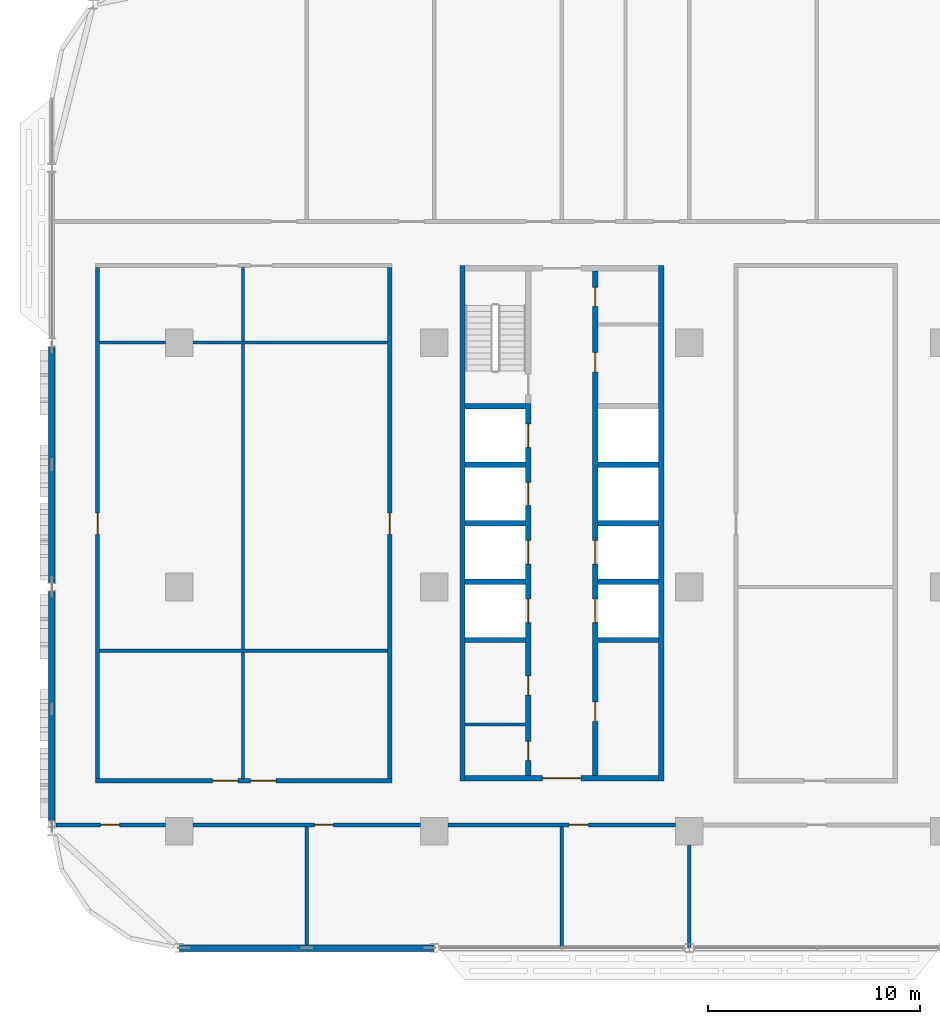
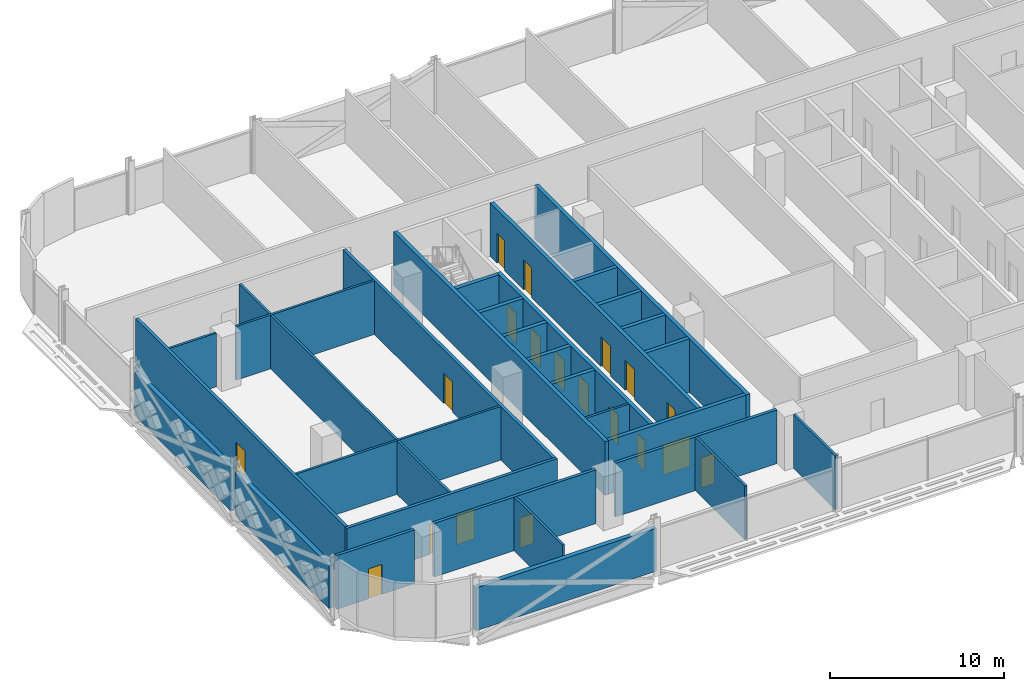
# One storey, part 13 of 28: 31 walls, 19 doors, 19 openings.
"""IFC4 building model written with IfcOpenShell, lengths in metres."""

from ifc_helpers import new_model, si_unit, direction, frame, frame_2d, origin, place, context, subcontext, project, spatial, rectangle, extrude, material, layer, layer_set, type_object, element, fill, save


model = new_model("IFC4")

# Units and contexts
model_context = context("Model", 3, precision=1e-05, world=origin(), true_north=direction((0.0, 1.0)))
body_context = subcontext(model_context, "Body", "Model", "MODEL_VIEW")
ifc_project = project(units=[si_unit("LENGTHUNIT", "METRE"), si_unit("AREAUNIT", "SQUARE_METRE"), si_unit("VOLUMEUNIT", "CUBIC_METRE"), si_unit("PLANEANGLEUNIT", "RADIAN"), si_unit("MASSUNIT", "GRAM", prefix="KILO")], contexts=[model_context])

# Site, building, storey
site_placement = place(None, origin())
site = spatial("IfcSite", under=ifc_project, at=site_placement, CompositionType="ELEMENT")
building_placement = place(site_placement, origin())
building = spatial("IfcBuilding", under=site, at=building_placement, Name="Mahtab Terrace Research Tower", CompositionType="ELEMENT")
storey_placement = place(building_placement, frame((0.0, 0.0, 130.199951171875)))
storey = spatial("IfcBuildingStorey", under=building, at=storey_placement, Name="L30", CompositionType="ELEMENT", Elevation=130.199951171875)

# Walls
ifc_material_1 = material(Name="Gypsum board partition")
ifc_layer_1 = layer(ifc_material_1, 0.14990234375)
ifc_layer_set_1 = layer_set([ifc_layer_1], Name="Core partition 150")
wall_type_1 = type_object("IfcWallType", Name="Core partition 150", PredefinedType="PARTITIONING", material=ifc_layer_set_1)
wall_1_placement = place(storey_placement, frame((-28.550048828125, -6.47509765625, 0.0), z_axis=(0.0, 0.0, 1.0), x_axis=(1.0, 0.0, 0.0)))
element("IfcWall", 1, at=wall_1_placement, inside=storey, type_object=wall_type_1, Name="Core wall A pWS-948", PredefinedType="PARTITIONING", context=body_context, shape_type="SweptSolid", body=[
    extrude(rectangle(XDim=2.85009765625, YDim=0.14990234375, at=frame_2d((1.425048828125, 0.0))), origin(), (0.0, 0.0, 1.0), 3.760009765625),
])
ifc_material_2 = material(Name="Concrete C70/85", Category="concrete")
ifc_layer_2 = layer(ifc_material_2, 0.25)
ifc_layer_set_2 = layer_set([ifc_layer_2], Name="Core wall 250")
wall_type_2 = type_object("IfcWallType", Name="Core wall 250", PredefinedType="SOLIDWALL", material=ifc_layer_set_2)
for number, where, z_axis, x_axis, name in (
    (2, (-28.675048828125, 15.125, 0.0), (0.0, 0.0, 1.0), (0.0, -1.0, 0.0), "Core wall A outerW"),
    (3, (-19.324951171875, -9.125, 0.0), (0.0, 0.0, 1.0), (0.0, 1.0, 0.0), "Core wall A outerE"),
):
    element("IfcWall", number, at=place(storey_placement, frame(where, z_axis=z_axis, x_axis=x_axis)), inside=storey, type_object=wall_type_2, Name=name, PredefinedType="SOLIDWALL", context=body_context, shape_type="SweptSolid", body=[
        extrude(rectangle(XDim=24.25, YDim=0.25, at=frame_2d((12.125, 0.0))), origin(), (0.0, 0.0, 1.0), 3.760009765625),
    ])

# Wall, opening, door
wall_2_placement = place(storey_placement, frame((-19.449951171875, -9.0, 0.0), z_axis=(0.0, 0.0, 1.0), x_axis=(-1.0, 0.0, 0.0)))
wall_2 = element("IfcWall", 4, at=wall_2_placement, inside=storey, type_object=wall_type_2, Name="Core wall A endS", PredefinedType="SOLIDWALL", context=body_context, shape_type="SweptSolid", body=[
    extrude(rectangle(XDim=9.10009765625, YDim=0.25, at=frame_2d((4.550048828125, 0.0))), origin(), (0.0, 0.0, 1.0), 3.760009765625),
])
opening_1_placement = place(wall_2_placement, frame((3.64990234375, 0.0, 0.0)))
opening_1 = element("IfcOpeningElement", 5, at=opening_1_placement, cuts=wall_2, Name="Opening A-S1", PredefinedType="OPENING", context=body_context, shape_type="SweptSolid", body=[
    extrude(rectangle(XDim=1.800048828125, YDim=2.10009765625, at=frame_2d((0.89990234375, 1.050048828125))), frame((0.0, 0.135009765625, 0.0), z_axis=(0.0, -1.0, 0.0), x_axis=(1.0, 0.0, 0.0)), (0.0, 0.0, 1.0), 0.27001953125),
])
ifc_material_3 = material(Name="Steel fire door", Category="steel")
door_type_1 = type_object("IfcDoorType", Name="Lobby double door 1800x2100 1 HR", OperationType="DOUBLE_DOOR_SINGLE_SWING", PredefinedType="DOOR", material=ifc_material_3)
door_1_placement = place(opening_1_placement, origin())
door_1 = element("IfcDoor", 6, at=door_1_placement, inside=storey, type_object=door_type_1, Name="Core entrance door A S", OperationType="DOUBLE_DOOR_SINGLE_SWING", OverallHeight=2.10009765625, OverallWidth=1.800048828125, PredefinedType="DOOR", context=body_context, shape_type="SweptSolid", body=[
    extrude(rectangle(XDim=1.800048828125, YDim=2.10009765625, at=frame_2d((0.89990234375, 1.050048828125))), frame((0.0, 0.02490234375, 0.0), z_axis=(0.0, -1.0, 0.0), x_axis=(1.0, 0.0, 0.0)), (0.0, 0.0, 1.0), 0.050048828125),
])
fill(opening_1, door_1)

# Wall, openings, doors
wall_3_placement = place(storey_placement, frame((-25.574951171875, -8.875, 0.0), z_axis=(0.0, 0.0, 1.0), x_axis=(0.0, 1.0, 0.0)))
wall_3 = element("IfcWall", 7, at=wall_3_placement, inside=storey, type_object=wall_type_2, Name="Core wall A innerWSL", PredefinedType="SOLIDWALL", context=body_context, shape_type="SweptSolid", body=[
    extrude(rectangle(XDim=17.5, YDim=0.25, at=frame_2d((8.75, 0.0))), origin(), (0.0, 0.0, 1.0), 3.760009765625),
])
opening_2_placement = place(wall_3_placement, frame((7.199951171875, 0.0, 0.0)))
opening_2 = element("IfcOpeningElement", 8, at=opening_2_placement, cuts=wall_3, Name="Opening LD01-L30", PredefinedType="OPENING", context=body_context, shape_type="SweptSolid", body=[
    extrude(rectangle(XDim=1.10009765625, YDim=2.10009765625, at=frame_2d((0.550048828125, 1.050048828125))), frame((0.0, 0.135009765625, 0.0), z_axis=(0.0, -1.0, 0.0), x_axis=(1.0, 0.0, 0.0)), (0.0, 0.0, 1.0), 0.27001953125),
])
opening_3_placement = place(wall_3_placement, frame((9.949951171875, 0.0, 0.0)))
opening_3 = element("IfcOpeningElement", 9, at=opening_3_placement, cuts=wall_3, Name="Opening LD02-L30", PredefinedType="OPENING", context=body_context, shape_type="SweptSolid", body=[
    extrude(rectangle(XDim=1.10009765625, YDim=2.10009765625, at=frame_2d((0.550048828125, 1.050048828125))), frame((0.0, 0.135009765625, 0.0), z_axis=(0.0, -1.0, 0.0), x_axis=(1.0, 0.0, 0.0)), (0.0, 0.0, 1.0), 0.27001953125),
])
opening_4_placement = place(wall_3_placement, frame((12.699951171875, 0.0, 0.0)))
opening_4 = element("IfcOpeningElement", 10, at=opening_4_placement, cuts=wall_3, Name="Opening LD03-L30", PredefinedType="OPENING", context=body_context, shape_type="SweptSolid", body=[
    extrude(rectangle(XDim=1.10009765625, YDim=2.10009765625, at=frame_2d((0.550048828125, 1.050048828125))), frame((0.0, 0.135009765625, 0.0), z_axis=(0.0, -1.0, 0.0), x_axis=(1.0, 0.0, 0.0)), (0.0, 0.0, 1.0), 0.27001953125),
])
opening_5_placement = place(wall_3_placement, frame((15.449951171875, 0.0, 0.0)))
opening_5 = element("IfcOpeningElement", 11, at=opening_5_placement, cuts=wall_3, Name="Opening LD04-L30", PredefinedType="OPENING", context=body_context, shape_type="SweptSolid", body=[
    extrude(rectangle(XDim=1.10009765625, YDim=2.10009765625, at=frame_2d((0.550048828125, 1.050048828125))), frame((0.0, 0.135009765625, 0.0), z_axis=(0.0, -1.0, 0.0), x_axis=(1.0, 0.0, 0.0)), (0.0, 0.0, 1.0), 0.27001953125),
])
opening_6_placement = place(wall_3_placement, frame((0.71240234375, 0.0, 0.0)))
opening_6 = element("IfcOpeningElement", 12, at=opening_6_placement, cuts=wall_3, Name="Opening A-R1", PredefinedType="OPENING", context=body_context, shape_type="SweptSolid", body=[
    extrude(rectangle(XDim=0.89990234375, YDim=2.10009765625, at=frame_2d((0.449951171875, 1.050048828125))), frame((0.0, 0.135009765625, 0.0), z_axis=(0.0, -1.0, 0.0), x_axis=(1.0, 0.0, 0.0)), (0.0, 0.0, 1.0), 0.27001953125),
])
opening_7_placement = place(wall_3_placement, frame((3.78759765625, 0.0, 0.0)))
opening_7 = element("IfcOpeningElement", 13, at=opening_7_placement, cuts=wall_3, Name="Opening A-R2", PredefinedType="OPENING", context=body_context, shape_type="SweptSolid", body=[
    extrude(rectangle(XDim=0.89990234375, YDim=2.10009765625, at=frame_2d((0.449951171875, 1.050048828125))), frame((0.0, 0.135009765625, 0.0), z_axis=(0.0, -1.0, 0.0), x_axis=(1.0, 0.0, 0.0)), (0.0, 0.0, 1.0), 0.27001953125),
])
ifc_material_4 = material(Name="Stainless steel AISI 304", Category="steel")
door_type_2 = type_object("IfcDoorType", Name="Landing door 1100x2100", OperationType="DOUBLE_DOOR_SLIDING", PredefinedType="DOOR", material=ifc_material_4)
door_2_placement = place(opening_2_placement, origin())
door_2 = element("IfcDoor", 14, at=door_2_placement, inside=storey, type_object=door_type_2, Name="Landing door LR1 L30", OperationType="DOUBLE_DOOR_SLIDING", OverallHeight=2.10009765625, OverallWidth=1.10009765625, PredefinedType="DOOR", context=body_context, shape_type="SweptSolid", body=[
    extrude(rectangle(XDim=1.10009765625, YDim=2.10009765625, at=frame_2d((0.550048828125, 1.050048828125))), frame((0.0, 0.02490234375, 0.0), z_axis=(0.0, -1.0, 0.0), x_axis=(1.0, 0.0, 0.0)), (0.0, 0.0, 1.0), 0.050048828125),
])
fill(opening_2, door_2)
door_3_placement = place(opening_3_placement, origin())
door_3 = element("IfcDoor", 15, at=door_3_placement, inside=storey, type_object=door_type_2, Name="Landing door LR2 L30", OperationType="DOUBLE_DOOR_SLIDING", OverallHeight=2.10009765625, OverallWidth=1.10009765625, PredefinedType="DOOR", context=body_context, shape_type="SweptSolid", body=[
    extrude(rectangle(XDim=1.10009765625, YDim=2.10009765625, at=frame_2d((0.550048828125, 1.050048828125))), frame((0.0, 0.02490234375, 0.0), z_axis=(0.0, -1.0, 0.0), x_axis=(1.0, 0.0, 0.0)), (0.0, 0.0, 1.0), 0.050048828125),
])
fill(opening_3, door_3)
door_4_placement = place(opening_4_placement, origin())
door_4 = element("IfcDoor", 16, at=door_4_placement, inside=storey, type_object=door_type_2, Name="Landing door LR3 L30", OperationType="DOUBLE_DOOR_SLIDING", OverallHeight=2.10009765625, OverallWidth=1.10009765625, PredefinedType="DOOR", context=body_context, shape_type="SweptSolid", body=[
    extrude(rectangle(XDim=1.10009765625, YDim=2.10009765625, at=frame_2d((0.550048828125, 1.050048828125))), frame((0.0, 0.02490234375, 0.0), z_axis=(0.0, -1.0, 0.0), x_axis=(1.0, 0.0, 0.0)), (0.0, 0.0, 1.0), 0.050048828125),
])
fill(opening_4, door_4)
door_5_placement = place(opening_5_placement, origin())
door_5 = element("IfcDoor", 17, at=door_5_placement, inside=storey, type_object=door_type_2, Name="Landing door LR4 L30", OperationType="DOUBLE_DOOR_SLIDING", OverallHeight=2.10009765625, OverallWidth=1.10009765625, PredefinedType="DOOR", context=body_context, shape_type="SweptSolid", body=[
    extrude(rectangle(XDim=1.10009765625, YDim=2.10009765625, at=frame_2d((0.550048828125, 1.050048828125))), frame((0.0, 0.02490234375, 0.0), z_axis=(0.0, -1.0, 0.0), x_axis=(1.0, 0.0, 0.0)), (0.0, 0.0, 1.0), 0.050048828125),
])
fill(opening_5, door_5)
door_type_3 = type_object("IfcDoorType", Name="Room door 900x2100 1 HR", OperationType="NOTDEFINED", PredefinedType="DOOR", material=ifc_material_3)
door_6_placement = place(opening_6_placement, origin())
door_6 = element("IfcDoor", 18, at=door_6_placement, inside=storey, type_object=door_type_3, Name="Accessible WC door", OperationType="SINGLE_SWING_LEFT", OverallHeight=2.10009765625, OverallWidth=0.89990234375, PredefinedType="DOOR", context=body_context, shape_type="SweptSolid", body=[
    extrude(rectangle(XDim=0.89990234375, YDim=2.10009765625, at=frame_2d((0.449951171875, 1.050048828125))), frame((0.0, 0.02490234375, 0.0), z_axis=(0.0, -1.0, 0.0), x_axis=(1.0, 0.0, 0.0)), (0.0, 0.0, 1.0), 0.050048828125),
])
fill(opening_6, door_6)
door_7_placement = place(opening_7_placement, origin())
door_7 = element("IfcDoor", 19, at=door_7_placement, inside=storey, type_object=door_type_3, Name="WC block door", OperationType="SINGLE_SWING_RIGHT", OverallHeight=2.10009765625, OverallWidth=0.89990234375, PredefinedType="DOOR", context=body_context, shape_type="SweptSolid", body=[
    extrude(rectangle(XDim=0.89990234375, YDim=2.10009765625, at=frame_2d((0.449951171875, 1.050048828125))), frame((0.0, 0.02490234375, 0.0), z_axis=(0.0, -1.0, 0.0), x_axis=(1.0, 0.0, 0.0)), (0.0, 0.0, 1.0), 0.050048828125),
])
fill(opening_7, door_7)

wall_4_placement = place(storey_placement, frame((-22.425048828125, 14.875, 0.0), z_axis=(0.0, 0.0, 1.0), x_axis=(0.0, -1.0, 0.0)))
wall_4 = element("IfcWall", 20, at=wall_4_placement, inside=storey, type_object=wall_type_2, Name="Core wall A innerESLN", PredefinedType="SOLIDWALL", context=body_context, shape_type="SweptSolid", body=[
    extrude(rectangle(XDim=23.75, YDim=0.25, at=frame_2d((11.875, 0.0))), origin(), (0.0, 0.0, 1.0), 3.760009765625),
])
opening_8_placement = place(wall_4_placement, frame((15.449951171875, 0.0, 0.0)))
opening_8 = element("IfcOpeningElement", 21, at=opening_8_placement, cuts=wall_4, Name="Opening LD05-L30", PredefinedType="OPENING", context=body_context, shape_type="SweptSolid", body=[
    extrude(rectangle(XDim=1.10009765625, YDim=2.10009765625, at=frame_2d((0.550048828125, 1.050048828125))), frame((0.0, 0.135009765625, 0.0), z_axis=(0.0, -1.0, 0.0), x_axis=(1.0, 0.0, 0.0)), (0.0, 0.0, 1.0), 0.27001953125),
])
opening_9_placement = place(wall_4_placement, frame((12.699951171875, 0.0, 0.0)))
opening_9 = element("IfcOpeningElement", 22, at=opening_9_placement, cuts=wall_4, Name="Opening LD06-L30", PredefinedType="OPENING", context=body_context, shape_type="SweptSolid", body=[
    extrude(rectangle(XDim=1.10009765625, YDim=2.10009765625, at=frame_2d((0.550048828125, 1.050048828125))), frame((0.0, 0.135009765625, 0.0), z_axis=(0.0, -1.0, 0.0), x_axis=(1.0, 0.0, 0.0)), (0.0, 0.0, 1.0), 0.27001953125),
])
opening_10_placement = place(wall_4_placement, frame((20.300048828125, 0.0, 0.0)))
opening_10 = element("IfcOpeningElement", 23, at=opening_10_placement, cuts=wall_4, Name="Opening A-R3", PredefinedType="OPENING", context=body_context, shape_type="SweptSolid", body=[
    extrude(rectangle(XDim=0.89990234375, YDim=2.10009765625, at=frame_2d((0.449951171875, 1.050048828125))), frame((0.0, 0.135009765625, 0.0), z_axis=(0.0, -1.0, 0.0), x_axis=(1.0, 0.0, 0.0)), (0.0, 0.0, 1.0), 0.27001953125),
])
opening_11_placement = place(wall_4_placement, frame((3.847412109375, 0.0, 0.0)))
opening_11 = element("IfcOpeningElement", 24, at=opening_11_placement, cuts=wall_4, Name="Opening A-R4", PredefinedType="OPENING", context=body_context, shape_type="SweptSolid", body=[
    extrude(rectangle(XDim=0.89990234375, YDim=2.10009765625, at=frame_2d((0.449951171875, 1.050048828125))), frame((0.0, 0.135009765625, 0.0), z_axis=(0.0, -1.0, 0.0), x_axis=(1.0, 0.0, 0.0)), (0.0, 0.0, 1.0), 0.27001953125),
])
opening_12_placement = place(wall_4_placement, frame((0.7724609375, 0.0, 0.0)))
opening_12 = element("IfcOpeningElement", 25, at=opening_12_placement, cuts=wall_4, Name="Opening A-R5", PredefinedType="OPENING", context=body_context, shape_type="SweptSolid", body=[
    extrude(rectangle(XDim=0.89990234375, YDim=2.10009765625, at=frame_2d((0.449951171875, 1.050048828125))), frame((0.0, 0.135009765625, 0.0), z_axis=(0.0, -1.0, 0.0), x_axis=(1.0, 0.0, 0.0)), (0.0, 0.0, 1.0), 0.27001953125),
])
door_8_placement = place(opening_8_placement, origin())
door_8 = element("IfcDoor", 26, at=door_8_placement, inside=storey, type_object=door_type_2, Name="Landing door LR5 L30", OperationType="DOUBLE_DOOR_SLIDING", OverallHeight=2.10009765625, OverallWidth=1.10009765625, PredefinedType="DOOR", context=body_context, shape_type="SweptSolid", body=[
    extrude(rectangle(XDim=1.10009765625, YDim=2.10009765625, at=frame_2d((0.550048828125, 1.050048828125))), frame((0.0, 0.02490234375, 0.0), z_axis=(0.0, -1.0, 0.0), x_axis=(1.0, 0.0, 0.0)), (0.0, 0.0, 1.0), 0.050048828125),
])
fill(opening_8, door_8)
door_9_placement = place(opening_9_placement, origin())
door_9 = element("IfcDoor", 27, at=door_9_placement, inside=storey, type_object=door_type_2, Name="Landing door LR6 L30", OperationType="DOUBLE_DOOR_SLIDING", OverallHeight=2.10009765625, OverallWidth=1.10009765625, PredefinedType="DOOR", context=body_context, shape_type="SweptSolid", body=[
    extrude(rectangle(XDim=1.10009765625, YDim=2.10009765625, at=frame_2d((0.550048828125, 1.050048828125))), frame((0.0, 0.02490234375, 0.0), z_axis=(0.0, -1.0, 0.0), x_axis=(1.0, 0.0, 0.0)), (0.0, 0.0, 1.0), 0.050048828125),
])
fill(opening_9, door_9)
door_10_placement = place(opening_10_placement, origin())
door_10 = element("IfcDoor", 28, at=door_10_placement, inside=storey, type_object=door_type_3, Name="Gas cylinder store door", OperationType="SINGLE_SWING_LEFT", OverallHeight=2.10009765625, OverallWidth=0.89990234375, PredefinedType="DOOR", context=body_context, shape_type="SweptSolid", body=[
    extrude(rectangle(XDim=0.89990234375, YDim=2.10009765625, at=frame_2d((0.449951171875, 1.050048828125))), frame((0.0, 0.02490234375, 0.0), z_axis=(0.0, -1.0, 0.0), x_axis=(1.0, 0.0, 0.0)), (0.0, 0.0, 1.0), 0.050048828125),
])
fill(opening_10, door_10)
door_11_placement = place(opening_11_placement, origin())
door_11 = element("IfcDoor", 29, at=door_11_placement, inside=storey, type_object=door_type_3, Name="Pantry door", OperationType="SINGLE_SWING_RIGHT", OverallHeight=2.10009765625, OverallWidth=0.89990234375, PredefinedType="DOOR", context=body_context, shape_type="SweptSolid", body=[
    extrude(rectangle(XDim=0.89990234375, YDim=2.10009765625, at=frame_2d((0.449951171875, 1.050048828125))), frame((0.0, 0.02490234375, 0.0), z_axis=(0.0, -1.0, 0.0), x_axis=(1.0, 0.0, 0.0)), (0.0, 0.0, 1.0), 0.050048828125),
])
fill(opening_11, door_11)
door_12_placement = place(opening_12_placement, origin())
door_12 = element("IfcDoor", 30, at=door_12_placement, inside=storey, type_object=door_type_3, Name="Linen store door", OperationType="SINGLE_SWING_LEFT", OverallHeight=2.10009765625, OverallWidth=0.89990234375, PredefinedType="DOOR", context=body_context, shape_type="SweptSolid", body=[
    extrude(rectangle(XDim=0.89990234375, YDim=2.10009765625, at=frame_2d((0.449951171875, 1.050048828125))), frame((0.0, 0.02490234375, 0.0), z_axis=(0.0, -1.0, 0.0), x_axis=(1.0, 0.0, 0.0)), (0.0, 0.0, 1.0), 0.050048828125),
])
fill(opening_12, door_12)

# Walls
for number, where, z_axis, x_axis, name in (
    (31, (-28.550048828125, -2.5, 0.0), (0.0, 0.0, 1.0), (1.0, 0.0, 0.0), "Core wall A divW0"),
    (32, (-28.550048828125, 0.25, 0.0), (0.0, 0.0, 1.0), (1.0, 0.0, 0.0), "Core wall A divW1"),
    (33, (-28.550048828125, 3.0, 0.0), (0.0, 0.0, 1.0), (1.0, 0.0, 0.0), "Core wall A divW2"),
    (34, (-28.550048828125, 5.75, 0.0), (0.0, 0.0, 1.0), (1.0, 0.0, 0.0), "Core wall A divW3"),
    (35, (-28.550048828125, 8.5, 0.0), (0.0, 0.0, 1.0), (1.0, 0.0, 0.0), "Core wall A divW4"),
    (36, (-22.300048828125, -2.5, 0.0), (0.0, 0.0, 1.0), (1.0, 0.0, 0.0), "Core wall A divE0"),
    (37, (-22.300048828125, 0.25, 0.0), (0.0, 0.0, 1.0), (1.0, 0.0, 0.0), "Core wall A divE1"),
    (38, (-22.300048828125, 3.0, 0.0), (0.0, 0.0, 1.0), (1.0, 0.0, 0.0), "Core wall A divE2"),
    (39, (-22.300048828125, 5.75, 0.0), (0.0, 0.0, 1.0), (1.0, 0.0, 0.0), "Core wall A divE3"),
):
    element("IfcWall", number, at=place(storey_placement, frame(where, z_axis=z_axis, x_axis=x_axis)), inside=storey, type_object=wall_type_2, Name=name, PredefinedType="SOLIDWALL", context=body_context, shape_type="SweptSolid", body=[
        extrude(rectangle(XDim=2.85009765625, YDim=0.25, at=frame_2d((1.425048828125, 0.0))), origin(), (0.0, 0.0, 1.0), 3.760009765625),
    ])
ifc_material_5 = material(Name="Black aluminium cladding panel", Category="aluminium")
ifc_layer_3 = layer(ifc_material_5, 0.300048828125)
ifc_layer_set_3 = layer_set([ifc_layer_3], Name="Opaque facade wall 300")
wall_type_3 = type_object("IfcWallType", Name="Opaque facade wall 300", PredefinedType="NOTDEFINED", material=ifc_layer_set_3)
wall_5_placement = place(storey_placement, frame((-48.0, 11.281982421875, 0.0), z_axis=(0.0, 0.0, 1.0), x_axis=(0.0, -1.0, 0.0)))
element("IfcWall", 40, at=wall_5_placement, inside=storey, type_object=wall_type_3, Name="Opaque facade wall L30 W17", PredefinedType="NOTDEFINED", context=body_context, shape_type="SweptSolid", body=[
    extrude(rectangle(XDim=11.06396484375, YDim=0.300048828125, at=frame_2d((5.531982421875, 0.0))), origin(), (0.0, 0.0, 1.0), 3.003173828125),
])
wall_6_placement = place(storey_placement, frame((-48.0, -0.218017578125, 0.0), z_axis=(0.0, 0.0, 1.0), x_axis=(0.0, -1.0, 0.0)))
element("IfcWall", 41, at=wall_6_placement, inside=storey, type_object=wall_type_3, Name="Opaque facade wall L30 W18", PredefinedType="NOTDEFINED", context=body_context, shape_type="SweptSolid", body=[
    extrude(rectangle(XDim=10.781982421875, YDim=0.300048828125, at=frame_2d((5.39111328125, 0.0))), origin(), (0.0, 0.0, 1.0), 3.003173828125),
])
wall_7_placement = place(storey_placement, frame((-41.982177734375, -17.0, 0.0), z_axis=(0.0, 0.0, 1.0), x_axis=(1.0, 0.0, 0.0)))
element("IfcWall", 42, at=wall_7_placement, inside=storey, type_object=wall_type_3, Name="Opaque facade wall L30 S24", PredefinedType="NOTDEFINED", context=body_context, shape_type="SweptSolid", body=[
    extrude(rectangle(XDim=11.96435546875, YDim=0.300048828125, at=frame_2d((5.982177734375, 0.0))), origin(), (0.0, 0.0, 1.0), 3.003173828125),
])

# Wall, opening, door
ifc_material_6 = material(Name="Gypsum board corridor wall on steel studs", Category="steel")
ifc_layer_4 = layer(ifc_material_6, 0.199951171875)
ifc_layer_set_4 = layer_set([ifc_layer_4], Name="WALL CORRIDOR 200")
wall_type_4 = type_object("IfcWallType", Name="WALL CORRIDOR 200", PredefinedType="PARTITIONING", material=ifc_layer_set_4)
wall_8_placement = place(storey_placement, frame((-47.807373046875, -11.199951171875, 0.0), z_axis=(0.0, 0.0, 1.0), x_axis=(1.0, 0.0, 0.0)))
wall_8 = element("IfcWall", 43, at=wall_8_placement, inside=storey, type_object=wall_type_4, Name="L30-W001", PredefinedType="PARTITIONING", context=body_context, shape_type="SweptSolid", body=[
    extrude(rectangle(XDim=5.157470703125, YDim=0.199951171875, at=frame_2d((2.57861328125, 0.0))), origin(), (0.0, 0.0, 1.0), 3.760009765625),
])
opening_13_placement = place(wall_8_placement, frame((2.10009765625, 0.0, 0.0)))
opening_13 = element("IfcOpeningElement", 44, at=opening_13_placement, cuts=wall_8, Name="Opening L30-101", PredefinedType="OPENING", context=body_context, shape_type="SweptSolid", body=[
    extrude(rectangle(XDim=0.89990234375, YDim=2.10009765625, at=frame_2d((0.449951171875, 1.050048828125))), frame((0.0, 0.10986328125, 0.0), z_axis=(0.0, -1.0, 0.0), x_axis=(1.0, 0.0, 0.0)), (0.0, 0.0, 1.0), 0.219970703125),
])
ifc_material_7 = material(Name="Timber door leaf in steel frame", Category="steel")
door_type_4 = type_object("IfcDoorType", Name="DOOR 0900X2100 FD30S", OperationType="SINGLE_SWING_LEFT", PredefinedType="DOOR", material=ifc_material_7)
door_13_placement = place(opening_13_placement, origin())
door_13 = element("IfcDoor", 45, at=door_13_placement, inside=storey, type_object=door_type_4, Name="Door L30-101", OperationType="SINGLE_SWING_RIGHT", OverallHeight=2.10009765625, OverallWidth=0.89990234375, PredefinedType="DOOR", context=body_context, shape_type="SweptSolid", body=[
    extrude(rectangle(XDim=0.89990234375, YDim=2.10009765625, at=frame_2d((0.449951171875, 1.050048828125))), frame((0.0, 0.02490234375, 0.0), z_axis=(0.0, -1.0, 0.0), x_axis=(1.0, 0.0, 0.0)), (0.0, 0.0, 1.0), 0.050048828125),
])
fill(opening_13, door_13)

wall_9_placement = place(storey_placement, frame((-41.35009765625, -11.199951171875, 0.0), z_axis=(0.0, 0.0, 1.0), x_axis=(1.0, 0.0, 0.0)))
wall_9 = element("IfcWall", 46, at=wall_9_placement, inside=storey, type_object=wall_type_4, Name="L30-W002", PredefinedType="PARTITIONING", context=body_context, shape_type="SweptSolid", body=[
    extrude(rectangle(XDim=10.7001953125, YDim=0.199951171875, at=frame_2d((5.35009765625, 0.0))), origin(), (0.0, 0.0, 1.0), 3.760009765625),
])
opening_14_placement = place(wall_9_placement, frame((5.699951171875, 0.0, 0.0)))
opening_14 = element("IfcOpeningElement", 47, at=opening_14_placement, cuts=wall_9, Name="Opening L30-102", PredefinedType="OPENING", context=body_context, shape_type="SweptSolid", body=[
    extrude(rectangle(XDim=0.89990234375, YDim=2.10009765625, at=frame_2d((0.449951171875, 1.050048828125))), frame((0.0, 0.10986328125, 0.0), z_axis=(0.0, -1.0, 0.0), x_axis=(1.0, 0.0, 0.0)), (0.0, 0.0, 1.0), 0.219970703125),
])
door_14_placement = place(opening_14_placement, origin())
door_14 = element("IfcDoor", 48, at=door_14_placement, inside=storey, type_object=door_type_4, Name="Door L30-102", OperationType="SINGLE_SWING_LEFT", OverallHeight=2.10009765625, OverallWidth=0.89990234375, PredefinedType="DOOR", context=body_context, shape_type="SweptSolid", body=[
    extrude(rectangle(XDim=0.89990234375, YDim=2.10009765625, at=frame_2d((0.449951171875, 1.050048828125))), frame((0.0, 0.02490234375, 0.0), z_axis=(0.0, -1.0, 0.0), x_axis=(1.0, 0.0, 0.0)), (0.0, 0.0, 1.0), 0.050048828125),
])
fill(opening_14, door_14)

wall_10_placement = place(storey_placement, frame((-29.35009765625, -11.199951171875, 0.0), z_axis=(0.0, 0.0, 1.0), x_axis=(1.0, 0.0, 0.0)))
wall_10 = element("IfcWall", 49, at=wall_10_placement, inside=storey, type_object=wall_type_4, Name="L30-W003", PredefinedType="PARTITIONING", context=body_context, shape_type="SweptSolid", body=[
    extrude(rectangle(XDim=10.7001953125, YDim=0.199951171875, at=frame_2d((5.35009765625, 0.0))), origin(), (0.0, 0.0, 1.0), 3.760009765625),
])
opening_15_placement = place(wall_10_placement, frame((5.699951171875, 0.0, 0.0)))
opening_15 = element("IfcOpeningElement", 50, at=opening_15_placement, cuts=wall_10, Name="Opening L30-103", PredefinedType="OPENING", context=body_context, shape_type="SweptSolid", body=[
    extrude(rectangle(XDim=0.89990234375, YDim=2.10009765625, at=frame_2d((0.449951171875, 1.050048828125))), frame((0.0, 0.10986328125, 0.0), z_axis=(0.0, -1.0, 0.0), x_axis=(1.0, 0.0, 0.0)), (0.0, 0.0, 1.0), 0.219970703125),
])
door_15_placement = place(opening_15_placement, origin())
door_15 = element("IfcDoor", 51, at=door_15_placement, inside=storey, type_object=door_type_4, Name="Door L30-103", OperationType="SINGLE_SWING_LEFT", OverallHeight=2.10009765625, OverallWidth=0.89990234375, PredefinedType="DOOR", context=body_context, shape_type="SweptSolid", body=[
    extrude(rectangle(XDim=0.89990234375, YDim=2.10009765625, at=frame_2d((0.449951171875, 1.050048828125))), frame((0.0, 0.02490234375, 0.0), z_axis=(0.0, -1.0, 0.0), x_axis=(1.0, 0.0, 0.0)), (0.0, 0.0, 1.0), 0.050048828125),
])
fill(opening_15, door_15)

# Wall, openings, doors
wall_11_placement = place(storey_placement, frame((-45.949951171875, -9.125, 0.0), z_axis=(0.0, 0.0, 1.0), x_axis=(1.0, 0.0, 0.0)))
wall_11 = element("IfcWall", 52, at=wall_11_placement, inside=storey, type_object=wall_type_4, Name="L30-W010", PredefinedType="PARTITIONING", context=body_context, shape_type="SweptSolid", body=[
    extrude(rectangle(XDim=13.949951171875, YDim=0.199951171875, at=frame_2d((6.97509765625, 0.0))), origin(), (0.0, 0.0, 1.0), 3.760009765625),
])
opening_16_placement = place(wall_11_placement, frame((5.5, 0.0, 0.0)))
opening_16 = element("IfcOpeningElement", 53, at=opening_16_placement, cuts=wall_11, Name="Opening L30-111", PredefinedType="OPENING", context=body_context, shape_type="SweptSolid", body=[
    extrude(rectangle(XDim=1.199951171875, YDim=2.10009765625, at=frame_2d((0.60009765625, 1.050048828125))), frame((0.0, 0.10986328125, 0.0), z_axis=(0.0, -1.0, 0.0), x_axis=(1.0, 0.0, 0.0)), (0.0, 0.0, 1.0), 0.219970703125),
])
opening_17_placement = place(wall_11_placement, frame((7.300048828125, 0.0, 0.0)))
opening_17 = element("IfcOpeningElement", 54, at=opening_17_placement, cuts=wall_11, Name="Opening L30-112", PredefinedType="OPENING", context=body_context, shape_type="SweptSolid", body=[
    extrude(rectangle(XDim=1.199951171875, YDim=2.10009765625, at=frame_2d((0.60009765625, 1.050048828125))), frame((0.0, 0.10986328125, 0.0), z_axis=(0.0, -1.0, 0.0), x_axis=(1.0, 0.0, 0.0)), (0.0, 0.0, 1.0), 0.219970703125),
])
door_type_5 = type_object("IfcDoorType", Name="DOOR 1200X2100 FD30S", OperationType="SINGLE_SWING_LEFT", PredefinedType="DOOR", material=ifc_material_7)
door_16_placement = place(opening_16_placement, origin())
door_16 = element("IfcDoor", 55, at=door_16_placement, inside=storey, type_object=door_type_5, Name="Door L30-111", OperationType="SINGLE_SWING_LEFT", OverallHeight=2.10009765625, OverallWidth=1.199951171875, PredefinedType="DOOR", context=body_context, shape_type="SweptSolid", body=[
    extrude(rectangle(XDim=1.199951171875, YDim=2.10009765625, at=frame_2d((0.60009765625, 1.050048828125))), frame((0.0, 0.02490234375, 0.0), z_axis=(0.0, -1.0, 0.0), x_axis=(1.0, 0.0, 0.0)), (0.0, 0.0, 1.0), 0.050048828125),
])
fill(opening_16, door_16)
door_17_placement = place(opening_17_placement, origin())
door_17 = element("IfcDoor", 56, at=door_17_placement, inside=storey, type_object=door_type_5, Name="Door L30-112", OperationType="SINGLE_SWING_RIGHT", OverallHeight=2.10009765625, OverallWidth=1.199951171875, PredefinedType="DOOR", context=body_context, shape_type="SweptSolid", body=[
    extrude(rectangle(XDim=1.199951171875, YDim=2.10009765625, at=frame_2d((0.60009765625, 1.050048828125))), frame((0.0, 0.02490234375, 0.0), z_axis=(0.0, -1.0, 0.0), x_axis=(1.0, 0.0, 0.0)), (0.0, 0.0, 1.0), 0.050048828125),
])
fill(opening_17, door_17)

# Wall, opening, door
wall_12_placement = place(storey_placement, frame((-45.85009765625, -9.02490234375, 0.0), z_axis=(0.0, 0.0, 1.0), x_axis=(0.0, 1.0, 0.0)))
wall_12 = element("IfcWall", 57, at=wall_12_placement, inside=storey, type_object=wall_type_4, Name="L30-W027", PredefinedType="PARTITIONING", context=body_context, shape_type="SweptSolid", body=[
    extrude(rectangle(XDim=24.0498046875, YDim=0.199951171875, at=frame_2d((12.02490234375, 0.0))), origin(), (0.0, 0.0, 1.0), 3.760009765625),
])
opening_18_placement = place(wall_12_placement, frame((11.5, 0.0, 0.0)))
opening_18 = element("IfcOpeningElement", 58, at=opening_18_placement, cuts=wall_12, Name="Opening L30-117", PredefinedType="OPENING", context=body_context, shape_type="SweptSolid", body=[
    extrude(rectangle(XDim=1.0, YDim=2.10009765625, at=frame_2d((0.5, 1.050048828125))), frame((0.0, 0.10986328125, 0.0), z_axis=(0.0, -1.0, 0.0), x_axis=(1.0, 0.0, 0.0)), (0.0, 0.0, 1.0), 0.219970703125),
])
door_type_6 = type_object("IfcDoorType", Name="DOOR 1000X2100 FD30S", OperationType="SINGLE_SWING_LEFT", PredefinedType="DOOR", material=ifc_material_7)
door_18_placement = place(opening_18_placement, origin())
door_18 = element("IfcDoor", 59, at=door_18_placement, inside=storey, type_object=door_type_6, Name="Door L30-117", OperationType="SINGLE_SWING_RIGHT", OverallHeight=2.10009765625, OverallWidth=1.0, PredefinedType="DOOR", context=body_context, shape_type="SweptSolid", body=[
    extrude(rectangle(XDim=1.0, YDim=2.10009765625, at=frame_2d((0.5, 1.050048828125))), frame((0.0, 0.02490234375, 0.0), z_axis=(0.0, -1.0, 0.0), x_axis=(1.0, 0.0, 0.0)), (0.0, 0.0, 1.0), 0.050048828125),
])
fill(opening_18, door_18)

wall_13_placement = place(storey_placement, frame((-32.10009765625, -9.02490234375, 0.0), z_axis=(0.0, 0.0, 1.0), x_axis=(0.0, 1.0, 0.0)))
wall_13 = element("IfcWall", 60, at=wall_13_placement, inside=storey, type_object=wall_type_4, Name="L30-W031", PredefinedType="PARTITIONING", context=body_context, shape_type="SweptSolid", body=[
    extrude(rectangle(XDim=24.0498046875, YDim=0.199951171875, at=frame_2d((12.02490234375, 0.0))), origin(), (0.0, 0.0, 1.0), 3.760009765625),
])
opening_19_placement = place(wall_13_placement, frame((11.5, 0.0, 0.0)))
opening_19 = element("IfcOpeningElement", 61, at=opening_19_placement, cuts=wall_13, Name="Opening L30-118", PredefinedType="OPENING", context=body_context, shape_type="SweptSolid", body=[
    extrude(rectangle(XDim=1.0, YDim=2.10009765625, at=frame_2d((0.5, 1.050048828125))), frame((0.0, 0.10986328125, 0.0), z_axis=(0.0, -1.0, 0.0), x_axis=(1.0, 0.0, 0.0)), (0.0, 0.0, 1.0), 0.219970703125),
])
door_19_placement = place(opening_19_placement, origin())
door_19 = element("IfcDoor", 62, at=door_19_placement, inside=storey, type_object=door_type_6, Name="Door L30-118", OperationType="SINGLE_SWING_LEFT", OverallHeight=2.10009765625, OverallWidth=1.0, PredefinedType="DOOR", context=body_context, shape_type="SweptSolid", body=[
    extrude(rectangle(XDim=1.0, YDim=2.10009765625, at=frame_2d((0.5, 1.050048828125))), frame((0.0, 0.02490234375, 0.0), z_axis=(0.0, -1.0, 0.0), x_axis=(1.0, 0.0, 0.0)), (0.0, 0.0, 1.0), 0.050048828125),
])
fill(opening_19, door_19)

# Walls
ifc_material_8 = material(Name="Gypsum board partition on steel studs", Category="steel")
ifc_layer_5 = layer(ifc_material_8, 0.14990234375)
ifc_layer_set_5 = layer_set([ifc_layer_5], Name="WALL PARTITION 150")
wall_type_5 = type_object("IfcWallType", Name="WALL PARTITION 150", PredefinedType="PARTITIONING", material=ifc_layer_set_5)
wall_14_placement = place(storey_placement, frame((-45.75, -3.0, 0.0), z_axis=(0.0, 0.0, 1.0), x_axis=(1.0, 0.0, 0.0)))
element("IfcWall", 63, at=wall_14_placement, inside=storey, type_object=wall_type_5, Name="L30-W014", PredefinedType="PARTITIONING", context=body_context, shape_type="SweptSolid", body=[
    extrude(rectangle(XDim=13.550048828125, YDim=0.14990234375, at=frame_2d((6.77490234375, 0.0))), origin(), (0.0, 0.0, 1.0), 3.760009765625),
])
wall_15_placement = place(storey_placement, frame((-45.75, 11.5, 0.0), z_axis=(0.0, 0.0, 1.0), x_axis=(1.0, 0.0, 0.0)))
element("IfcWall", 64, at=wall_15_placement, inside=storey, type_object=wall_type_5, Name="L30-W019", PredefinedType="PARTITIONING", context=body_context, shape_type="SweptSolid", body=[
    extrude(rectangle(XDim=3.10009765625, YDim=0.14990234375, at=frame_2d((1.550048828125, 0.0))), origin(), (0.0, 0.0, 1.0), 3.760009765625),
])
wall_16_placement = place(storey_placement, frame((-41.35009765625, 11.5, 0.0), z_axis=(0.0, 0.0, 1.0), x_axis=(1.0, 0.0, 0.0)))
element("IfcWall", 65, at=wall_16_placement, inside=storey, type_object=wall_type_5, Name="L30-W020", PredefinedType="PARTITIONING", context=body_context, shape_type="SweptSolid", body=[
    extrude(rectangle(XDim=9.150146484375, YDim=0.14990234375, at=frame_2d((4.5751953125, 0.0))), origin(), (0.0, 0.0, 1.0), 3.760009765625),
])
wall_17_placement = place(storey_placement, frame((-39.0, -9.02490234375, 0.0), z_axis=(0.0, 0.0, 1.0), x_axis=(0.0, 1.0, 0.0)))
element("IfcWall", 66, at=wall_17_placement, inside=storey, type_object=wall_type_5, Name="L30-W028", PredefinedType="PARTITIONING", context=body_context, shape_type="SweptSolid", body=[
    extrude(rectangle(XDim=24.0498046875, YDim=0.14990234375, at=frame_2d((12.02490234375, 0.0))), origin(), (0.0, 0.0, 1.0), 3.760009765625),
])
wall_18_placement = place(storey_placement, frame((-36.0, -16.85009765625, 0.0), z_axis=(0.0, 0.0, 1.0), x_axis=(0.0, 1.0, 0.0)))
element("IfcWall", 67, at=wall_18_placement, inside=storey, type_object=wall_type_5, Name="L30-W029", PredefinedType="PARTITIONING", context=body_context, shape_type="SweptSolid", body=[
    extrude(rectangle(XDim=5.550048828125, YDim=0.14990234375, at=frame_2d((2.77490234375, 0.0))), origin(), (0.0, 0.0, 1.0), 3.760009765625),
])
wall_19_placement = place(storey_placement, frame((-24.0, -16.97509765625, 0.0), z_axis=(0.0, 0.0, 1.0), x_axis=(0.0, 1.0, 0.0)))
element("IfcWall", 68, at=wall_19_placement, inside=storey, type_object=wall_type_5, Name="L30-W033", PredefinedType="PARTITIONING", context=body_context, shape_type="SweptSolid", body=[
    extrude(rectangle(XDim=5.675048828125, YDim=0.14990234375, at=frame_2d((2.83740234375, 0.0))), origin(), (0.0, 0.0, 1.0), 3.760009765625),
])
wall_20_placement = place(storey_placement, frame((-18.0, -16.97509765625, 0.0), z_axis=(0.0, 0.0, 1.0), x_axis=(0.0, 1.0, 0.0)))
element("IfcWall", 69, at=wall_20_placement, inside=storey, type_object=wall_type_5, Name="L30-W036", PredefinedType="PARTITIONING", context=body_context, shape_type="SweptSolid", body=[
    extrude(rectangle(XDim=4.8251953125, YDim=0.14990234375, at=frame_2d((2.41259765625, 0.0))), origin(), (0.0, 0.0, 1.0), 3.760009765625),
])

save(model, "model.ifc")
